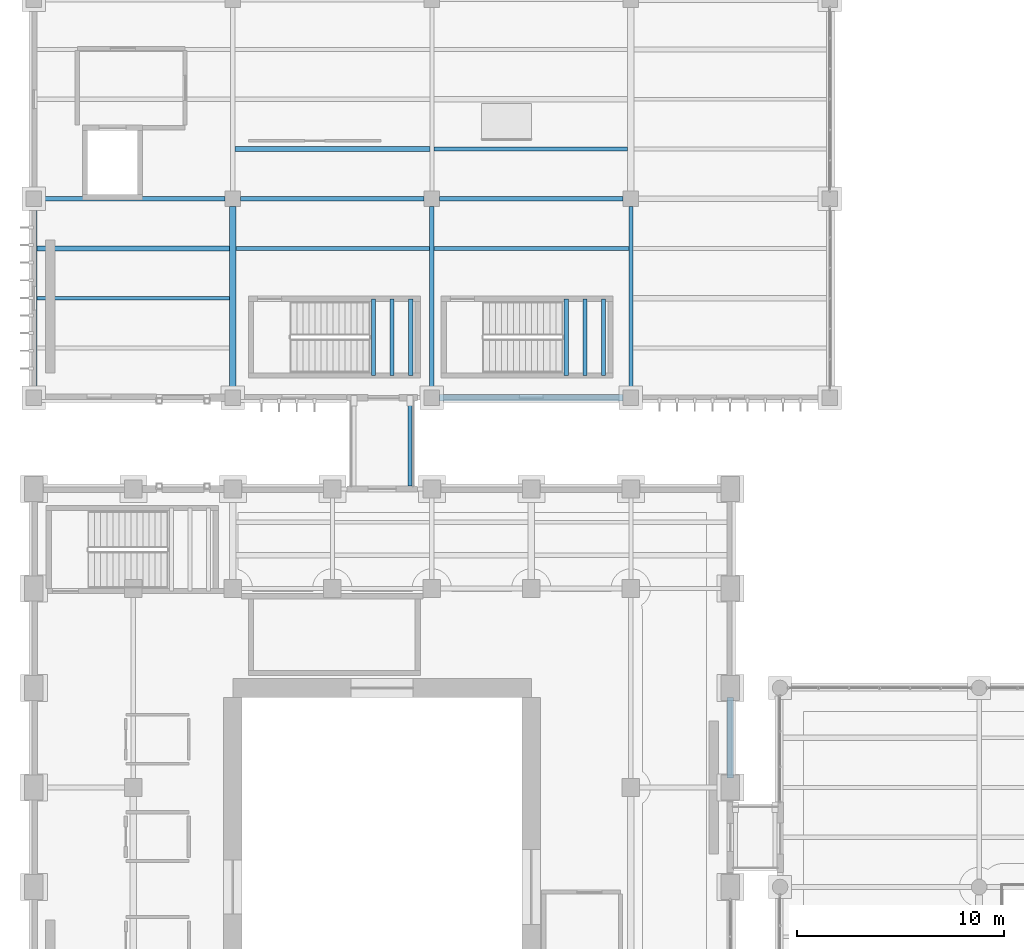
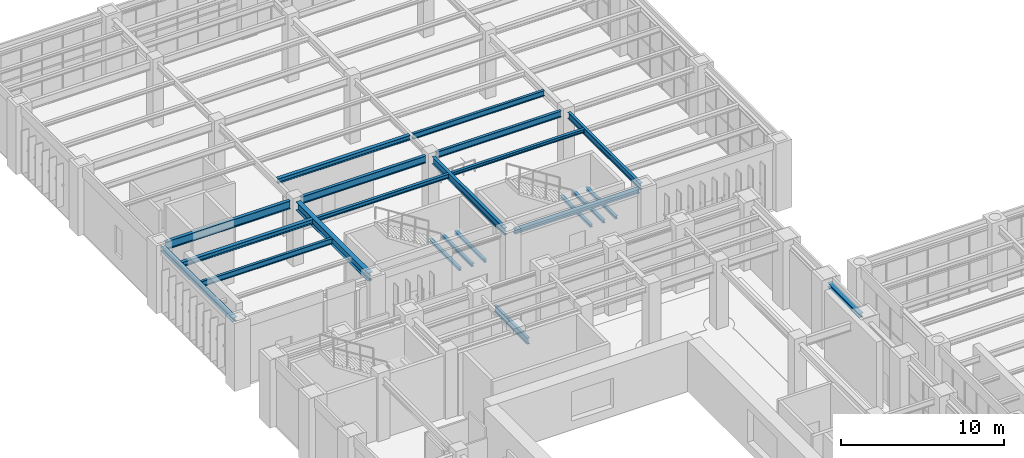
# One storey, part 63 of 174: 22 beams.
"""IFC4 building model written with IfcOpenShell, lengths in metres."""

from ifc_helpers import new_model, si_unit, direction, frame, origin, origin_2d, place, context, subcontext, project, spatial, i_section, extrude, material, material_profile, profile_set, type_object, element, save


model = new_model("IFC4")

# Units and contexts
model_context = context("Model", 3, precision=1e-05, world=origin(), true_north=direction((0.0, 1.0)))
body_context = subcontext(model_context, "Body", "Model", "MODEL_VIEW")
ifc_project = project(units=[si_unit("LENGTHUNIT", "METRE"), si_unit("AREAUNIT", "SQUARE_METRE"), si_unit("VOLUMEUNIT", "CUBIC_METRE"), si_unit("PLANEANGLEUNIT", "RADIAN"), si_unit("MASSUNIT", "GRAM", prefix="KILO")], contexts=[model_context])

# Site, building, storey
site_placement = place(None, origin())
site = spatial("IfcSite", under=ifc_project, at=site_placement, CompositionType="ELEMENT")
building_placement = place(site_placement, origin())
building = spatial("IfcBuilding", under=site, at=building_placement, Name="Mavantir Sound Aquarium", CompositionType="ELEMENT")
storey_placement = place(building_placement, frame((0.0, 0.0, 5.39990234375)))
storey = spatial("IfcBuildingStorey", under=building, at=storey_placement, Name="L01", CompositionType="ELEMENT", Elevation=5.39990234375)

# Beams
ifc_material = material(Name="Structural Steel ASTM A992 Gr50", Category="steel")
ifc_material_profile_1 = material_profile(ifc_material, i_section(OverallWidth=0.202880859375, OverallDepth=0.202880859375, WebThickness=0.007080078125, FlangeThickness=0.010986328125, FilletRadius=0.010009765625, at=origin_2d()), Name="W200X46")
ifc_profile_set_1 = profile_set([ifc_material_profile_1], Name="Structural Steel ASTM A992 Gr50")
beam_type_1 = type_object("IfcBeamType", Name="BM-W200X46-I", PredefinedType="LINTEL", material=ifc_profile_set_1)
for number, where, z_axis, x_axis, name in (
    (1, (16.389892578125, 84.675048828125, 2.24560546875), (0.0, 1.0, 0.0), (-1.0, 0.0, 0.0), "Stair ST5 landing support beam 91"),
    (2, (17.284912109375, 84.675048828125, 2.24560546875), (0.0, 1.0, 0.0), (-1.0, 0.0, 0.0), "Stair ST5 landing support beam 92"),
    (3, (18.179931640625, 84.675048828125, 2.24560546875), (0.0, 1.0, 0.0), (-1.0, 0.0, 0.0), "Stair ST5 landing support beam 93"),
    (4, (25.68994140625, 84.675048828125, 2.24560546875), (0.0, 1.0, 0.0), (-1.0, 0.0, 0.0), "Stair ST7 landing support beam 112"),
    (5, (26.5849609375, 84.675048828125, 2.24560546875), (0.0, 1.0, 0.0), (-1.0, 0.0, 0.0), "Stair ST7 landing support beam 113"),
    (6, (27.47998046875, 84.675048828125, 2.24560546875), (0.0, 1.0, 0.0), (-1.0, 0.0, 0.0), "Stair ST7 landing support beam 114"),
):
    element("IfcBeam", number, at=place(storey_placement, frame(where, z_axis=z_axis, x_axis=x_axis)), inside=storey, type_object=beam_type_1, Name=name, PredefinedType="LINTEL", context=body_context, shape_type="SweptSolid", body=[
        extrude(i_section(OverallWidth=0.202880859375, OverallDepth=0.202880859375, WebThickness=0.007080078125, FlangeThickness=0.010986328125, FilletRadius=0.010009765625, at=origin_2d()), origin(), (0.0, 0.0, 1.0), 3.699951171875),
    ])
ifc_material_profile_2 = material_profile(ifc_material, i_section(OverallWidth=0.202880859375, OverallDepth=0.251953125, WebThickness=0.008056640625, FlangeThickness=0.013427734375, FilletRadius=0.011962890625, at=origin_2d()), Name="W250X58")
ifc_profile_set_2 = profile_set([ifc_material_profile_2], Name="Structural Steel ASTM A992 Gr50")
beam_type_2 = type_object("IfcBeamType", Name="BM-W250X58-I", PredefinedType="JOIST", material=ifc_profile_set_2)
beam_1_placement = place(storey_placement, frame((19.305908203125, 90.800048828125, 4.670166015625), z_axis=(1.0, 0.0, 0.0), x_axis=(0.0, 1.0, 0.0)))
element("IfcBeam", 7, at=beam_1_placement, inside=storey, type_object=beam_type_2, Name="L01 secondary floor joist SJ-25 800", PredefinedType="JOIST", context=body_context, shape_type="SweptSolid", body=[
    extrude(i_section(OverallWidth=0.202880859375, OverallDepth=0.251953125, WebThickness=0.008056640625, FlangeThickness=0.013427734375, FilletRadius=0.011962890625, at=origin_2d()), origin(), (0.0, 0.0, 1.0), 9.39697265625),
])
ifc_material_profile_3 = material_profile(ifc_material, i_section(OverallWidth=0.205078125, OverallDepth=0.31005859375, WebThickness=0.009521484375, FlangeThickness=0.016357421875, FilletRadius=0.012939453125, at=origin_2d()), Name="W310X74")
ifc_profile_set_3 = profile_set([ifc_material_profile_3], Name="Structural Steel ASTM A992 Gr50")
beam_type_3 = type_object("IfcBeamType", Name="BM-W310X74-I", PredefinedType="JOIST", material=ifc_profile_set_3)
beam_2_placement = place(storey_placement, frame((9.761962890625, 90.800048828125, 4.64111328125), z_axis=(1.0, 0.0, 0.0), x_axis=(0.0, 1.0, 0.0)))
element("IfcBeam", 8, at=beam_2_placement, inside=storey, type_object=beam_type_3, Name="L01 secondary floor joist SJ-31 799", PredefinedType="JOIST", context=body_context, shape_type="SweptSolid", body=[
    extrude(i_section(OverallWidth=0.205078125, OverallDepth=0.31005859375, WebThickness=0.009521484375, FlangeThickness=0.016357421875, FilletRadius=0.012939453125, at=origin_2d()), origin(), (0.0, 0.0, 1.0), 9.33203125),
])
ifc_material_profile_4 = material_profile(ifc_material, i_section(OverallWidth=0.304931640625, OverallDepth=0.30810546875, WebThickness=0.010009765625, FlangeThickness=0.015380859375, FilletRadius=0.014892578125, at=origin_2d()), Name="W310X97")
ifc_profile_set_4 = profile_set([ifc_material_profile_4], Name="Structural Steel ASTM A992 Gr50")
beam_type_4 = type_object("IfcBeamType", Name="BM-W310X97-E", PredefinedType="SPANDREL", material=ifc_profile_set_4)
beam_3_placement = place(storey_placement, frame((33.60009765625, 65.25, 4.5419921875), z_axis=(0.0, 1.0, 0.0), x_axis=(-1.0, 0.0, 0.0)))
element("IfcBeam", 9, at=beam_3_placement, inside=storey, type_object=beam_type_4, Name="L01 primary girder SS-31A 1179", PredefinedType="SPANDREL", context=body_context, shape_type="SweptSolid", body=[
    extrude(i_section(OverallWidth=0.304931640625, OverallDepth=0.30810546875, WebThickness=0.010009765625, FlangeThickness=0.015380859375, FilletRadius=0.014892578125, at=origin_2d()), origin(), (0.0, 0.0, 1.0), 3.89990234375),
])
beam_4_placement = place(storey_placement, frame((19.574951171875, 83.60009765625, 4.64208984375), z_axis=(1.0, 0.0, 0.0), x_axis=(0.0, 1.0, 0.0)))
element("IfcBeam", 10, at=beam_4_placement, inside=storey, type_object=beam_type_4, Name="L01 primary beam SS-31A 1359", PredefinedType="SPANDREL", context=body_context, shape_type="SweptSolid", body=[
    extrude(i_section(OverallWidth=0.304931640625, OverallDepth=0.30810546875, WebThickness=0.010009765625, FlangeThickness=0.015380859375, FilletRadius=0.014892578125, at=origin_2d()), origin(), (0.0, 0.0, 1.0), 8.85009765625),
])
beam_5_placement = place(storey_placement, frame((0.0, 83.97509765625, 4.64208984375), z_axis=(0.0, 1.0, 0.0), x_axis=(-1.0, 0.0, 0.0)))
element("IfcBeam", 11, at=beam_5_placement, inside=storey, type_object=beam_type_4, Name="L01 primary girder SS-31A 1377", PredefinedType="SPANDREL", context=body_context, shape_type="SweptSolid", body=[
    extrude(i_section(OverallWidth=0.304931640625, OverallDepth=0.30810546875, WebThickness=0.010009765625, FlangeThickness=0.015380859375, FilletRadius=0.014892578125, at=origin_2d()), origin(), (0.0, 0.0, 1.0), 8.849853515625),
])
ifc_material_profile_5 = material_profile(ifc_material, i_section(OverallWidth=0.25390625, OverallDepth=0.35302734375, WebThickness=0.009521484375, FlangeThickness=0.016357421875, FilletRadius=0.014892578125, at=origin_2d()), Name="W360X91")
ifc_profile_set_5 = profile_set([ifc_material_profile_5], Name="Structural Steel ASTM A992 Gr50")
beam_type_5 = type_object("IfcBeamType", Name="BM-W360X91-I", PredefinedType="JOIST", material=ifc_profile_set_5)
beam_6_placement = place(storey_placement, frame((0.152587890625, 90.800048828125, 4.61962890625), z_axis=(1.0, 0.0, 0.0), x_axis=(0.0, 1.0, 0.0)))
element("IfcBeam", 12, at=beam_6_placement, inside=storey, type_object=beam_type_5, Name="L01 secondary floor joist SJ-36 798", PredefinedType="JOIST", context=body_context, shape_type="SweptSolid", body=[
    extrude(i_section(OverallWidth=0.25390625, OverallDepth=0.35302734375, WebThickness=0.009521484375, FlangeThickness=0.016357421875, FilletRadius=0.014892578125, at=origin_2d()), origin(), (0.0, 0.0, 1.0), 9.285400390625),
])
beam_7_placement = place(storey_placement, frame((9.7060546875, 95.60009765625, 4.61962890625), z_axis=(1.0, 0.0, 0.0), x_axis=(0.0, 1.0, 0.0)))
element("IfcBeam", 13, at=beam_7_placement, inside=storey, type_object=beam_type_5, Name="L01 secondary floor joist SJ-36 806", PredefinedType="JOIST", context=body_context, shape_type="SweptSolid", body=[
    extrude(i_section(OverallWidth=0.25390625, OverallDepth=0.35302734375, WebThickness=0.009521484375, FlangeThickness=0.016357421875, FilletRadius=0.014892578125, at=origin_2d()), origin(), (0.0, 0.0, 1.0), 9.39697265625),
])
ifc_material_profile_6 = material_profile(ifc_material, i_section(OverallWidth=0.180908203125, OverallDepth=0.4169921875, WebThickness=0.010986328125, FlangeThickness=0.018310546875, FilletRadius=0.014892578125, at=origin_2d()), Name="W410X85")
ifc_profile_set_6 = profile_set([ifc_material_profile_6], Name="Structural Steel ASTM A992 Gr50")
beam_type_6 = type_object("IfcBeamType", Name="BM-W410X85-I", PredefinedType="JOIST", material=ifc_profile_set_6)
beam_8_placement = place(storey_placement, frame((0.152587890625, 88.39990234375, 4.587646484375), z_axis=(1.0, 0.0, 0.0), x_axis=(0.0, 1.0, 0.0)))
element("IfcBeam", 14, at=beam_8_placement, inside=storey, type_object=beam_type_6, Name="L01 secondary floor joist SJ-41 797", PredefinedType="JOIST", context=body_context, shape_type="SweptSolid", body=[
    extrude(i_section(OverallWidth=0.180908203125, OverallDepth=0.4169921875, WebThickness=0.010986328125, FlangeThickness=0.018310546875, FilletRadius=0.014892578125, at=origin_2d()), origin(), (0.0, 0.0, 1.0), 9.285400390625),
])
beam_9_placement = place(storey_placement, frame((19.297119140625, 95.60009765625, 4.587646484375), z_axis=(1.0, 0.0, 0.0), x_axis=(0.0, 1.0, 0.0)))
element("IfcBeam", 15, at=beam_9_placement, inside=storey, type_object=beam_type_6, Name="L01 secondary floor joist SJ-41 809", PredefinedType="JOIST", context=body_context, shape_type="SweptSolid", body=[
    extrude(i_section(OverallWidth=0.180908203125, OverallDepth=0.4169921875, WebThickness=0.010986328125, FlangeThickness=0.018310546875, FilletRadius=0.014892578125, at=origin_2d()), origin(), (0.0, 0.0, 1.0), 9.3408203125),
])
ifc_material_profile_7 = material_profile(ifc_material, i_section(OverallWidth=0.194091796875, OverallDepth=0.468994140625, WebThickness=0.0126953125, FlangeThickness=0.0205078125, FilletRadius=0.01611328125, at=origin_2d()), Name="W460X106")
ifc_profile_set_7 = profile_set([ifc_material_profile_7], Name="Structural Steel ASTM A992 Gr50")
beam_type_7 = type_object("IfcBeamType", Name="BM-W460X106-E", PredefinedType="BEAM", material=ifc_profile_set_7)
beam_10_placement = place(storey_placement, frame((18.14990234375, 79.35009765625, -0.514404296875), z_axis=(0.0, 1.0, 0.0), x_axis=(-1.0, 0.0, 0.0)))
element("IfcBeam", 16, at=beam_10_placement, inside=storey, type_object=beam_type_7, Name="Slide-bearing link bridge girder 3.2", PredefinedType="BEAM", context=body_context, shape_type="SweptSolid", body=[
    extrude(i_section(OverallWidth=0.194091796875, OverallDepth=0.468994140625, WebThickness=0.0126953125, FlangeThickness=0.0205078125, FilletRadius=0.01611328125, at=origin_2d()), origin(), (0.0, 0.0, 1.0), 4.099853515625),
])
ifc_material_profile_8 = material_profile(ifc_material, i_section(OverallWidth=0.194091796875, OverallDepth=0.468994140625, WebThickness=0.0126953125, FlangeThickness=0.0205078125, FilletRadius=0.01611328125, at=origin_2d()), Name="W460X106")
ifc_profile_set_8 = profile_set([ifc_material_profile_8], Name="Structural Steel ASTM A992 Gr50")
beam_type_8 = type_object("IfcBeamType", Name="BM-W460X106-I", PredefinedType="BEAM", material=ifc_profile_set_8)
beam_11_placement = place(storey_placement, frame((19.574951171875, 93.199951171875, 4.5615234375), z_axis=(1.0, 0.0, 0.0), x_axis=(0.0, 1.0, 0.0)))
element("IfcBeam", 17, at=beam_11_placement, inside=storey, type_object=beam_type_8, Name="L01 primary beam SB-46 1363", PredefinedType="BEAM", context=body_context, shape_type="SweptSolid", body=[
    extrude(i_section(OverallWidth=0.194091796875, OverallDepth=0.468994140625, WebThickness=0.0126953125, FlangeThickness=0.0205078125, FilletRadius=0.01611328125, at=origin_2d()), origin(), (0.0, 0.0, 1.0), 8.85009765625),
])
beam_12_placement = place(storey_placement, frame((28.800048828125, 83.97509765625, 4.54150390625), z_axis=(0.0, 1.0, 0.0), x_axis=(-1.0, 0.0, 0.0)))
element("IfcBeam", 18, at=beam_12_placement, inside=storey, type_object=beam_type_8, Name="L01 primary girder SB-46 1389", PredefinedType="BEAM", context=body_context, shape_type="SweptSolid", body=[
    extrude(i_section(OverallWidth=0.194091796875, OverallDepth=0.468994140625, WebThickness=0.0126953125, FlangeThickness=0.0205078125, FilletRadius=0.01611328125, at=origin_2d()), origin(), (0.0, 0.0, 1.0), 8.849853515625),
])
ifc_material_profile_9 = material_profile(ifc_material, i_section(OverallWidth=0.2119140625, OverallDepth=0.5439453125, WebThickness=0.01318359375, FlangeThickness=0.021240234375, FilletRadius=0.01806640625, at=origin_2d()), Name="W530X123")
ifc_profile_set_9 = profile_set([ifc_material_profile_9], Name="Structural Steel ASTM A992 Gr50")
beam_type_9 = type_object("IfcBeamType", Name="BM-W530X123-I", PredefinedType="BEAM", material=ifc_profile_set_9)
for number, where, z_axis, x_axis, name in (
    (19, (9.97509765625, 93.199951171875, 4.524169921875), (1.0, 0.0, 0.0), (0.0, 1.0, 0.0), "L01 primary beam SB-53 1362"),
    (20, (19.199951171875, 83.97509765625, 4.524169921875), (0.0, 1.0, 0.0), (-1.0, 0.0, 0.0), "L01 primary girder SB-53 1385"),
):
    element("IfcBeam", number, at=place(storey_placement, frame(where, z_axis=z_axis, x_axis=x_axis)), inside=storey, type_object=beam_type_9, Name=name, PredefinedType="BEAM", context=body_context, shape_type="SweptSolid", body=[
        extrude(i_section(OverallWidth=0.2119140625, OverallDepth=0.5439453125, WebThickness=0.01318359375, FlangeThickness=0.021240234375, FilletRadius=0.01806640625, at=origin_2d()), origin(), (0.0, 0.0, 1.0), 8.849853515625),
    ])
ifc_material_profile_10 = material_profile(ifc_material, i_section(OverallWidth=0.22900390625, OverallDepth=0.612060546875, WebThickness=0.011962890625, FlangeThickness=0.01953125, FilletRadius=0.01904296875, at=origin_2d()), Name="W610X125")
ifc_profile_set_10 = profile_set([ifc_material_profile_10], Name="Structural Steel ASTM A992 Gr50")
beam_type_10 = type_object("IfcBeamType", Name="BM-W610X125-I", PredefinedType="BEAM", material=ifc_profile_set_10)
beam_13_placement = place(storey_placement, frame((0.375, 93.199951171875, 4.489990234375), z_axis=(1.0, 0.0, 0.0), x_axis=(0.0, 1.0, 0.0)))
element("IfcBeam", 21, at=beam_13_placement, inside=storey, type_object=beam_type_10, Name="L01 primary beam SB-61B 1361", PredefinedType="BEAM", context=body_context, shape_type="SweptSolid", body=[
    extrude(i_section(OverallWidth=0.22900390625, OverallDepth=0.612060546875, WebThickness=0.011962890625, FlangeThickness=0.01953125, FilletRadius=0.01904296875, at=origin_2d()), origin(), (0.0, 0.0, 1.0), 8.85009765625),
])
ifc_material_profile_11 = material_profile(ifc_material, i_section(OverallWidth=0.323974609375, OverallDepth=0.611083984375, WebThickness=0.0126953125, FlangeThickness=0.01904296875, FilletRadius=0.01904296875, at=origin_2d()), Name="W610X155")
ifc_profile_set_11 = profile_set([ifc_material_profile_11], Name="Structural Steel ASTM A992 Gr50")
beam_type_11 = type_object("IfcBeamType", Name="BM-W610X155-I", PredefinedType="BEAM", material=ifc_profile_set_11)
beam_14_placement = place(storey_placement, frame((9.60009765625, 83.97509765625, 4.490478515625), z_axis=(0.0, 1.0, 0.0), x_axis=(-1.0, 0.0, 0.0)))
element("IfcBeam", 22, at=beam_14_placement, inside=storey, type_object=beam_type_11, Name="L01 primary girder SB-61A 1381", PredefinedType="BEAM", context=body_context, shape_type="SweptSolid", body=[
    extrude(i_section(OverallWidth=0.323974609375, OverallDepth=0.611083984375, WebThickness=0.0126953125, FlangeThickness=0.01904296875, FilletRadius=0.01904296875, at=origin_2d()), origin(), (0.0, 0.0, 1.0), 8.849853515625),
])

save(model, "model.ifc")
